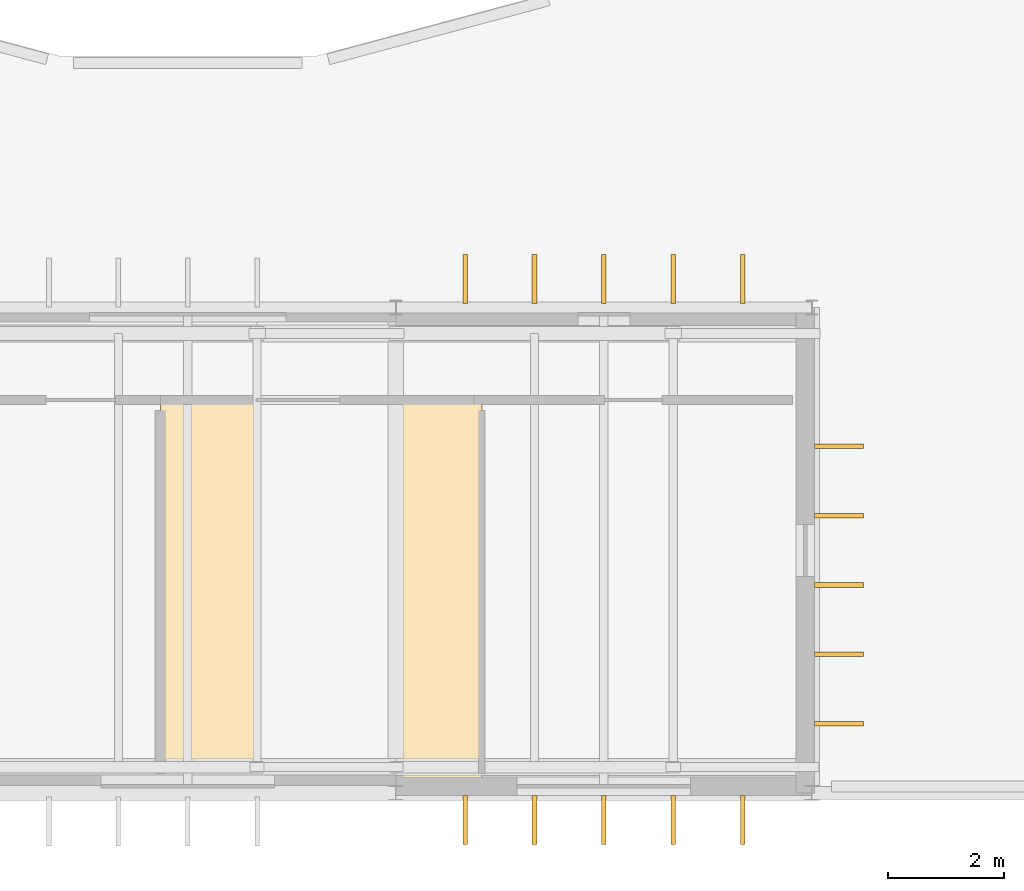
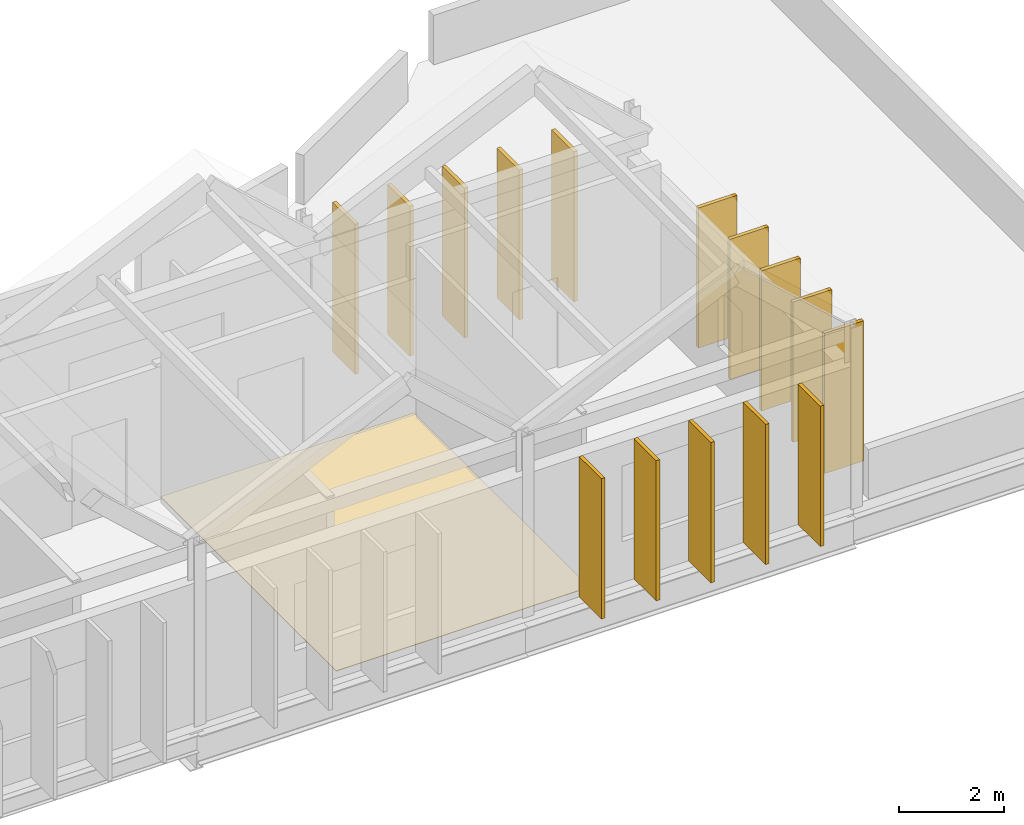
# One storey, part 52 of 52: 15 shading devices, 1 covering.
"""IFC4 building model written with IfcOpenShell, lengths in metres."""

from ifc_helpers import new_model, si_unit, direction, frame, origin, origin_2d, place, context, subcontext, project, spatial, polyline, rectangle, outline, extrude, material, layer, layer_set, type_object, element, save


model = new_model("IFC4")

# Units and contexts
model_context = context("Model", 3, precision=1e-05, world=origin(), true_north=direction((0.0, 1.0)))
body_context = subcontext(model_context, "Body", "Model", "MODEL_VIEW")
ifc_project = project(units=[si_unit("LENGTHUNIT", "METRE"), si_unit("AREAUNIT", "SQUARE_METRE"), si_unit("VOLUMEUNIT", "CUBIC_METRE"), si_unit("PLANEANGLEUNIT", "RADIAN"), si_unit("MASSUNIT", "GRAM", prefix="KILO")], contexts=[model_context])

# Site, building, storey
site_placement = place(None, origin())
site = spatial("IfcSite", under=ifc_project, at=site_placement, CompositionType="ELEMENT")
building_placement = place(site_placement, origin())
building = spatial("IfcBuilding", under=site, at=building_placement, Name="Qelthora Terrace Specialist Clinic", CompositionType="ELEMENT")
storey_placement = place(building_placement, frame((0.0, 0.0, 17.39990234375)))
storey = spatial("IfcBuildingStorey", under=building, at=storey_placement, Name="L04", CompositionType="ELEMENT", Elevation=17.39990234375)

# Covering
ifc_material_1 = material(Name="Antimicrobial clinical linoleum flooring", Category="other")
ifc_layer = layer(ifc_material_1, 0.011962890625)
ifc_layer_set = layer_set([ifc_layer], Name="Antimicrobial clinical linoleum flooring")
covering_type = type_object("IfcCoveringType", Name="COV-FLR-LINO-12", PredefinedType="FLOORING", material=ifc_layer_set)
covering_placement = place(storey_placement, origin())
element("IfcCovering", 1, at=covering_placement, inside=storey, type_object=covering_type, Name="Gable Consulting Supportive Care L04-33 resilient linoleum flooring", PredefinedType="FLOORING", context=body_context, shape_type="SweptSolid", body=[
    extrude(outline(polyline([(125.530029296875, 40.39990234375), (131.08740234375, 40.39990234375), (131.08740234375, 33.72998046875), (125.530029296875, 33.72998046875), (125.530029296875, 40.39990234375)])), origin(), (0.0, 0.0, 1.0), 0.01220703125),
])

# Shading devices
ifc_material_2 = material(Name="Glulam timber GL28h", Category="wood")
shading_device_type = type_object("IfcShadingDeviceType", Name="SHD-FIN-850", PredefinedType="USERDEFINED", material=ifc_material_2)
for number, where, z_axis, x_axis, name in (
    (2, (130.800048828125, 33.135009765625, 0.000244140625), (0.0, 0.0, 1.0), (0.0, -1.0, 0.0), "Exterior solar shading fin FIN-1784"),
    (3, (132.0, 33.135009765625, 0.000244140625), (0.0, 0.0, 1.0), (0.0, -1.0, 0.0), "Exterior solar shading fin FIN-1785"),
    (4, (133.199951171875, 33.135009765625, 0.000244140625), (0.0, 0.0, 1.0), (0.0, -1.0, 0.0), "Exterior solar shading fin FIN-1786"),
    (5, (134.39990234375, 33.135009765625, 0.000244140625), (0.0, 0.0, 1.0), (0.0, -1.0, 0.0), "Exterior solar shading fin FIN-1787"),
    (6, (135.60009765625, 33.135009765625, 0.000244140625), (0.0, 0.0, 1.0), (0.0, -1.0, 0.0), "Exterior solar shading fin FIN-1788"),
):
    element("IfcShadingDevice", number, at=place(storey_placement, frame(where, z_axis=z_axis, x_axis=x_axis)), inside=storey, type_object=shading_device_type, Name=name, ObjectType="FIN", PredefinedType="USERDEFINED", context=body_context, shape_type="SweptSolid", body=[
        extrude(rectangle(XDim=0.85009765625, YDim=0.080078125, at=origin_2d()), origin(), (0.0, 0.0, 1.0), 3.25390625),
    ])
for number, where, z_axis, x_axis, name in (
    (7, (130.800048828125, 42.4951171875, 0.0), (0.0, 0.0, 1.0), (0.0, 1.0, 0.0), "Exterior solar shading fin FIN-1828"),
    (8, (132.0, 42.4951171875, 0.0), (0.0, 0.0, 1.0), (0.0, 1.0, 0.0), "Exterior solar shading fin FIN-1829"),
    (9, (133.199951171875, 42.4951171875, 0.0), (0.0, 0.0, 1.0), (0.0, 1.0, 0.0), "Exterior solar shading fin FIN-1830"),
    (10, (134.39990234375, 42.4951171875, 0.0), (0.0, 0.0, 1.0), (0.0, 1.0, 0.0), "Exterior solar shading fin FIN-1831"),
    (11, (135.60009765625, 42.4951171875, 0.0), (0.0, 0.0, 1.0), (0.0, 1.0, 0.0), "Exterior solar shading fin FIN-1832"),
):
    element("IfcShadingDevice", number, at=place(storey_placement, frame(where, z_axis=z_axis, x_axis=x_axis)), inside=storey, type_object=shading_device_type, Name=name, ObjectType="FIN", PredefinedType="USERDEFINED", context=body_context, shape_type="SweptSolid", body=[
        extrude(rectangle(XDim=0.85009765625, YDim=0.080078125, at=origin_2d()), origin(), (0.0, 0.0, 1.0), 3.47607421875),
    ])
for number, where, z_axis, x_axis, name in (
    (12, (137.264892578125, 34.800048828125, 0.0), (0.0, 0.0, 1.0), (1.0, 0.0, 0.0), "Exterior solar shading fin FIN-1833"),
    (13, (137.264892578125, 36.0, 0.0), (0.0, 0.0, 1.0), (1.0, 0.0, 0.0), "Exterior solar shading fin FIN-1834"),
    (14, (137.264892578125, 37.199951171875, 0.0), (0.0, 0.0, 1.0), (1.0, 0.0, 0.0), "Exterior solar shading fin FIN-1835"),
    (15, (137.264892578125, 38.39990234375, 0.0), (0.0, 0.0, 1.0), (1.0, 0.0, 0.0), "Exterior solar shading fin FIN-1836"),
    (16, (137.264892578125, 39.60009765625, 0.0), (0.0, 0.0, 1.0), (1.0, 0.0, 0.0), "Exterior solar shading fin FIN-1837"),
):
    element("IfcShadingDevice", number, at=place(storey_placement, frame(where, z_axis=z_axis, x_axis=x_axis)), inside=storey, type_object=shading_device_type, Name=name, ObjectType="FIN", PredefinedType="USERDEFINED", context=body_context, shape_type="SweptSolid", body=[
        extrude(rectangle(XDim=0.85009765625, YDim=0.080078125, at=origin_2d()), origin(), (0.0, 0.0, 1.0), 3.2490234375),
    ])

save(model, "model.ifc")
